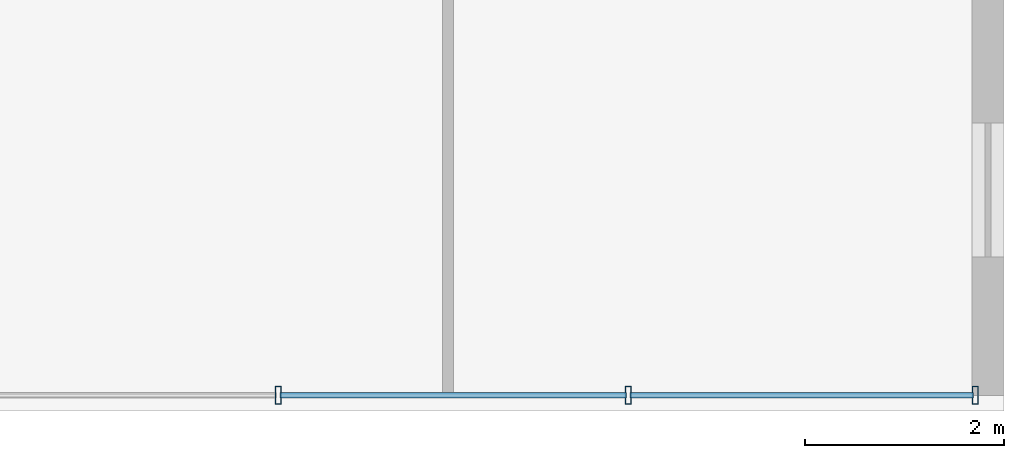
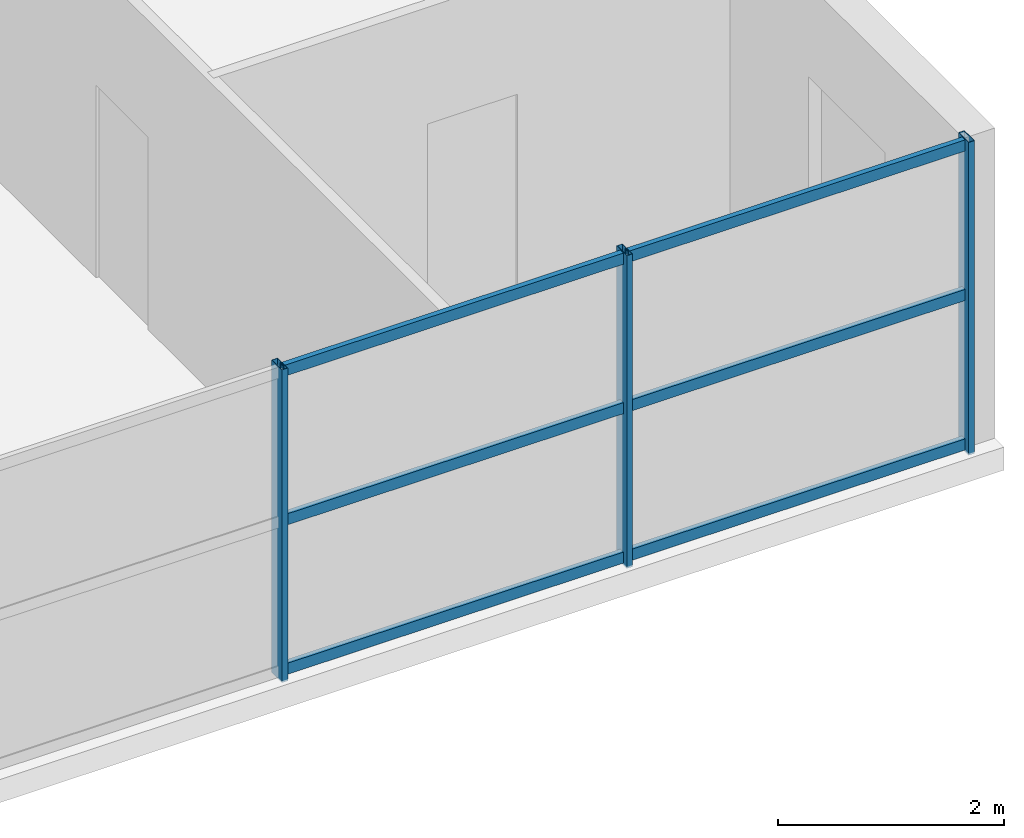
# One storey, part 5 of 14: 9 members, 1 element without a shape of its own.
"""IFC4 building model written with IfcOpenShell, lengths in metres."""

from ifc_helpers import new_model, si_unit, direction, frame, origin, origin_2d, place, context, subcontext, project, spatial, hollow_rectangle, extrude, source, transform, mapped, material, material_profile, profile_set, type_object, element, aggregate, save


model = new_model("IFC4")

# Units and contexts
model_context = context("Model", 3, precision=1e-05, world=origin(), true_north=direction((0.0, 1.0)))
body_context = subcontext(model_context, "Body", "Model", "MODEL_VIEW")
ifc_project = project(units=[si_unit("LENGTHUNIT", "METRE"), si_unit("AREAUNIT", "SQUARE_METRE"), si_unit("VOLUMEUNIT", "CUBIC_METRE"), si_unit("PLANEANGLEUNIT", "RADIAN"), si_unit("MASSUNIT", "GRAM", prefix="KILO")], contexts=[model_context])

# Site, building, storey
site_placement = place(None, origin())
site = spatial("IfcSite", under=ifc_project, at=site_placement, CompositionType="ELEMENT")
building_placement = place(site_placement, origin())
building = spatial("IfcBuilding", under=site, at=building_placement, Name="Tlacorven Tower", CompositionType="ELEMENT")
storey_placement = place(building_placement, frame((0.0, 0.0, 273.60009765625)))
storey = spatial("IfcBuildingStorey", under=building, at=storey_placement, Name="L69", CompositionType="ELEMENT", Elevation=273.60009765625)

# Curtain wall, members
ifc_material_1 = material(Name="Dark solar low-E double glazing in aluminium frame", Category="aluminium")
curtain_wall_type = type_object("IfcCurtainWallType", Name="CW-TWR-HIGH", PredefinedType="USERDEFINED", material=ifc_material_1)
curtain_wall_placement = place(storey_placement, origin())
curtain_wall = element("IfcCurtainWall", 1, at=curtain_wall_placement, inside=storey, type_object=curtain_wall_type, Name="L69 CW-TWR-HIGH Curtain Wall 319", ObjectType="UNITISED CURTAIN WALL", PredefinedType="USERDEFINED")
ifc_material_2 = material(Name="Aluminium 6063-T6 anodised", Category="aluminium")
ifc_material_profile_1 = material_profile(ifc_material_2, hollow_rectangle(XDim=0.06005859375, YDim=0.179931640625, WallThickness=0.00390625, at=origin_2d()), Name="ALU MULLION 60X180")
ifc_profile_set_1 = profile_set([ifc_material_profile_1], Name="Aluminium 6063-T6 anodised")
member_type_1 = type_object("IfcMemberType", Name="CWM-03", PredefinedType="MULLION", material=ifc_profile_set_1)
shared_shape_1 = source(origin(), body_context, "Body", "SweptSolid", [
    extrude(hollow_rectangle(XDim=0.06005859375, YDim=0.179931640625, WallThickness=0.00390625, at=origin_2d()), origin(), (0.0, 0.0, 1.0), 3.3798828125),
])
member_1_placement = place(storey_placement, frame((43.909912109375, 1.9599609375, -0.02001953125), z_axis=(0.0, 0.0, 1.0), x_axis=(-1.0, 0.0, 0.0)))
member_1 = element("IfcMember", 2, at=member_1_placement, type_object=member_type_1, Name="CW-L69-319 Mullion 1", PredefinedType="MULLION", context=body_context, shape_type="MappedRepresentation", body=[
    mapped(shared_shape_1, transform((0.0, 0.0, 0.0), scale=1.0)),
])
member_2_placement = place(storey_placement, frame((40.41552734375, 1.9599609375, -0.02001953125), z_axis=(0.0, 0.0, 1.0), x_axis=(-1.0, 0.0, 0.0)))
member_2 = element("IfcMember", 3, at=member_2_placement, type_object=member_type_1, Name="CW-L69-319 Mullion 2", PredefinedType="MULLION", context=body_context, shape_type="MappedRepresentation", body=[
    mapped(shared_shape_1, transform((0.0, 0.0, 0.0), scale=1.0)),
])
member_3_placement = place(storey_placement, frame((36.890869140625, 1.9599609375, -0.02001953125), z_axis=(0.0, 0.0, 1.0), x_axis=(-1.0, 0.0, 0.0)))
member_3 = element("IfcMember", 4, at=member_3_placement, type_object=member_type_1, Name="CW-L69-319 Mullion 3", PredefinedType="MULLION", context=body_context, shape_type="MappedRepresentation", body=[
    mapped(shared_shape_1, transform((0.0, 0.0, 0.0), scale=1.0)),
])
ifc_material_profile_2 = material_profile(ifc_material_2, hollow_rectangle(XDim=0.054931640625, YDim=0.1201171875, WallThickness=0.00341796875, at=origin_2d()), Name="ALU TRANSOM 55X120")
ifc_profile_set_2 = profile_set([ifc_material_profile_2], Name="Aluminium 6063-T6 anodised")
member_type_2 = type_object("IfcMemberType", Name="CWT-03", PredefinedType="USERDEFINED", material=ifc_profile_set_2)
shared_shape_2 = source(origin(), body_context, "Body", "SweptSolid", [
    extrude(hollow_rectangle(XDim=0.054931640625, YDim=0.1201171875, WallThickness=0.00341796875, at=origin_2d()), origin(), (0.0, 0.0, 1.0), 3.458740234375),
])
member_4_placement = place(storey_placement, frame((43.89208984375, 1.9599609375, 0.059814453125), z_axis=(-1.0, 0.0, 0.0), x_axis=(0.0, -1.0, 0.0)))
member_4 = element("IfcMember", 5, at=member_4_placement, type_object=member_type_2, Name="CW-L69-319 Transom 1", ObjectType="TRANSOM", PredefinedType="USERDEFINED", context=body_context, shape_type="MappedRepresentation", body=[
    mapped(shared_shape_2, transform((0.0, 0.0, 0.0), scale=1.0)),
])
member_5_placement = place(storey_placement, frame((43.89208984375, 1.9599609375, 1.6748046875), z_axis=(-1.0, 0.0, 0.0), x_axis=(0.0, -1.0, 0.0)))
member_5 = element("IfcMember", 6, at=member_5_placement, type_object=member_type_2, Name="CW-L69-319 Transom 2", ObjectType="TRANSOM", PredefinedType="USERDEFINED", context=body_context, shape_type="MappedRepresentation", body=[
    mapped(shared_shape_2, transform((0.0, 0.0, 0.0), scale=1.0)),
])
member_6_placement = place(storey_placement, frame((43.89208984375, 1.9599609375, 3.289794921875), z_axis=(-1.0, 0.0, 0.0), x_axis=(0.0, -1.0, 0.0)))
member_6 = element("IfcMember", 7, at=member_6_placement, type_object=member_type_2, Name="CW-L69-319 Transom 3", ObjectType="TRANSOM", PredefinedType="USERDEFINED", context=body_context, shape_type="MappedRepresentation", body=[
    mapped(shared_shape_2, transform((0.0, 0.0, 0.0), scale=1.0)),
])
shared_shape_3 = source(origin(), body_context, "Body", "SweptSolid", [
    extrude(hollow_rectangle(XDim=0.054931640625, YDim=0.1201171875, WallThickness=0.00341796875, at=origin_2d()), origin(), (0.0, 0.0, 1.0), 3.488525390625),
])
member_7_placement = place(storey_placement, frame((40.3974609375, 1.9599609375, 0.059814453125), z_axis=(-1.0, 0.0, 0.0), x_axis=(0.0, -1.0, 0.0)))
member_7 = element("IfcMember", 8, at=member_7_placement, type_object=member_type_2, Name="CW-L69-319 Transom 4", ObjectType="TRANSOM", PredefinedType="USERDEFINED", context=body_context, shape_type="MappedRepresentation", body=[
    mapped(shared_shape_3, transform((0.0, 0.0, 0.0), scale=1.0)),
])
member_8_placement = place(storey_placement, frame((40.3974609375, 1.9599609375, 1.6748046875), z_axis=(-1.0, 0.0, 0.0), x_axis=(0.0, -1.0, 0.0)))
member_8 = element("IfcMember", 9, at=member_8_placement, type_object=member_type_2, Name="CW-L69-319 Transom 5", ObjectType="TRANSOM", PredefinedType="USERDEFINED", context=body_context, shape_type="MappedRepresentation", body=[
    mapped(shared_shape_3, transform((0.0, 0.0, 0.0), scale=1.0)),
])
member_9_placement = place(storey_placement, frame((40.3974609375, 1.9599609375, 3.289794921875), z_axis=(-1.0, 0.0, 0.0), x_axis=(0.0, -1.0, 0.0)))
member_9 = element("IfcMember", 10, at=member_9_placement, type_object=member_type_2, Name="CW-L69-319 Transom 6", ObjectType="TRANSOM", PredefinedType="USERDEFINED", context=body_context, shape_type="MappedRepresentation", body=[
    mapped(shared_shape_3, transform((0.0, 0.0, 0.0), scale=1.0)),
])
aggregate(curtain_wall, [member_1, member_2, member_3, member_4, member_5, member_6, member_7, member_8, member_9])

save(model, "model.ifc")
